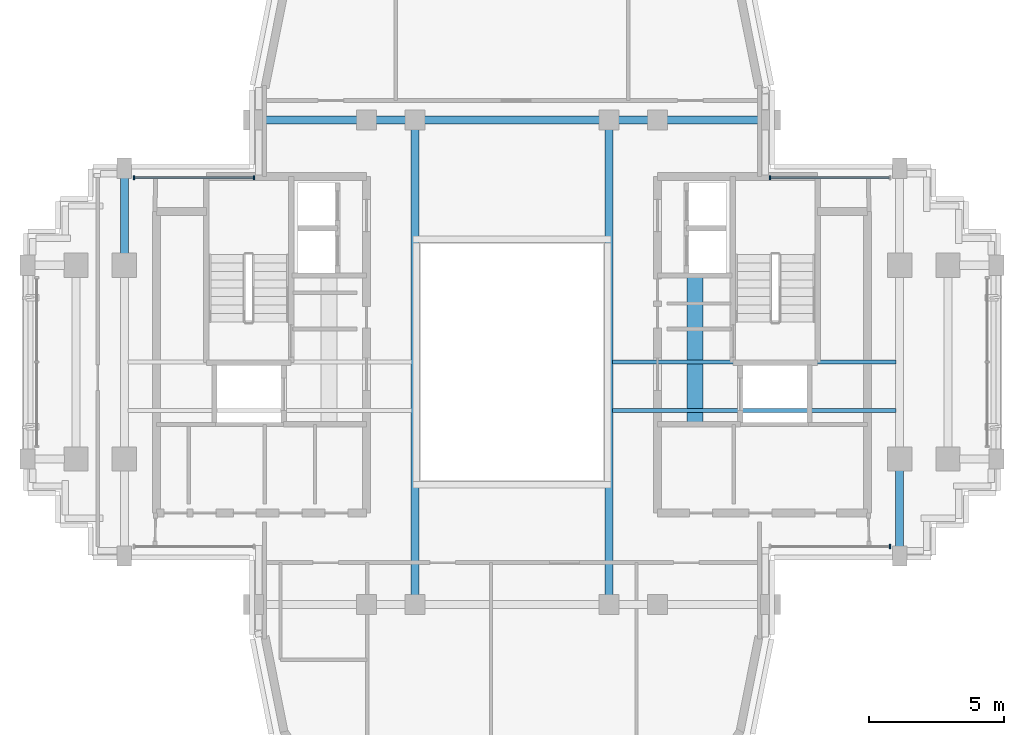
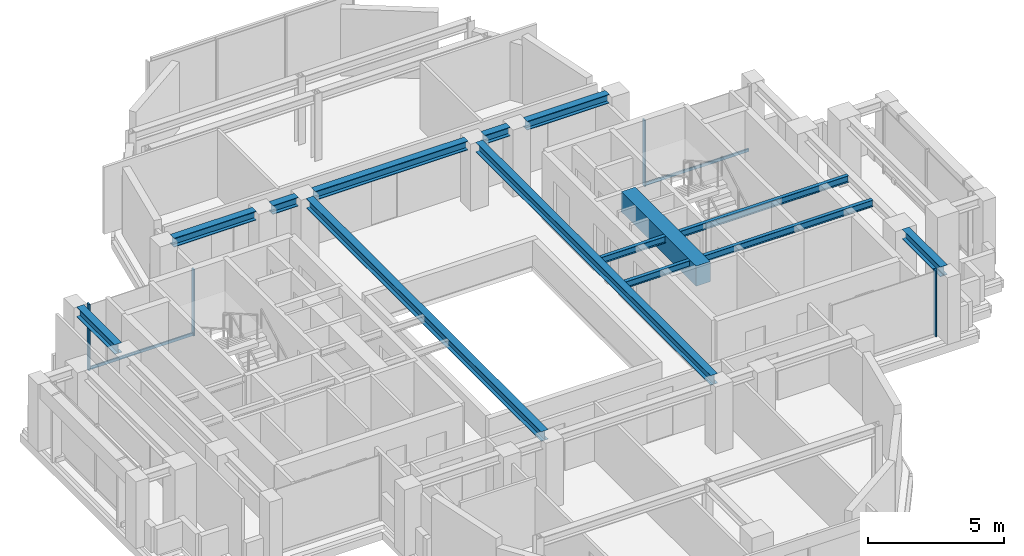
# One storey, part 5 of 12: 12 beams, 6 members, 3 elements without a shape of their own.
"""IFC4 building model written with IfcOpenShell, lengths in metres."""

from ifc_helpers import new_model, si_unit, direction, frame, origin, origin_2d, place, context, subcontext, project, spatial, rectangle, i_section, extrude, source, transform, mapped, material, material_profile, profile_set, type_object, element, aggregate, save


model = new_model("IFC4")

# Units and contexts
model_context = context("Model", 3, precision=1e-05, world=origin(), true_north=direction((0.0, 1.0)))
body_context = subcontext(model_context, "Body", "Model", "MODEL_VIEW")
ifc_project = project(units=[si_unit("LENGTHUNIT", "METRE"), si_unit("AREAUNIT", "SQUARE_METRE"), si_unit("VOLUMEUNIT", "CUBIC_METRE"), si_unit("PLANEANGLEUNIT", "RADIAN"), si_unit("MASSUNIT", "GRAM", prefix="KILO")], contexts=[model_context])

# Site, building, storey
site_placement = place(None, origin())
site = spatial("IfcSite", under=ifc_project, at=site_placement, CompositionType="ELEMENT")
building_placement = place(site_placement, origin())
building = spatial("IfcBuilding", under=site, at=building_placement, Name="Keilestroom Media Tower", CompositionType="ELEMENT")
storey_placement = place(building_placement, frame((0.0, 0.0, 226.800048828125)))
storey = spatial("IfcBuildingStorey", under=building, at=storey_placement, Name="L62", CompositionType="ELEMENT", Elevation=226.800048828125)

# Beams
ifc_material_1 = material(Name="Concrete C70/85", Category="concrete")
ifc_material_profile_1 = material_profile(ifc_material_1, rectangle(XDim=0.60009765625, YDim=0.89990234375, at=origin_2d()), Name="RC 600x900")
ifc_profile_set_1 = profile_set([ifc_material_profile_1], Name="Concrete C70/85")
beam_type_1 = type_object("IfcBeamType", Name="Core-Coupling-Lintel-Beam-RC-600x900", PredefinedType="LINTEL", material=ifc_profile_set_1)
shared_shape_1 = source(origin(), body_context, "Body", "SweptSolid", [
    extrude(rectangle(XDim=0.60009765625, YDim=0.89990234375, at=origin_2d()), origin(), (0.0, 0.0, 1.0), 5.52001953125),
])
beam_1_placement = place(storey_placement, frame((6.800048828125, -2.300048828125, 2.56005859375), z_axis=(0.0, 1.0, 0.0), x_axis=(-1.0, 0.0, 0.0)))
element("IfcBeam", 1, at=beam_1_placement, inside=storey, type_object=beam_type_1, Name="L62 Beam CLB-1 CLB-L62-E", PredefinedType="LINTEL", context=body_context, shape_type="MappedRepresentation", body=[
    mapped(shared_shape_1, transform((0.0, 0.0, 0.0), x_axis=(1.0, 0.0, 0.0), y_axis=(0.0, 1.0, 0.0), z_axis=(0.0, 0.0, 1.0), scale=1.0)),
])
ifc_material_2 = material(Name="Steel S355", Category="steel")
ifc_material_profile_2 = material_profile(ifc_material_2, i_section(OverallWidth=0.300048828125, OverallDepth=0.39990234375, WebThickness=0.011474609375, FlangeThickness=0.02392578125, at=origin_2d()), Name="HEB 400")
ifc_profile_set_2 = profile_set([ifc_material_profile_2], Name="Steel S355")
beam_type_2 = type_object("IfcBeamType", Name="Primary-Structural-Girder-HEB-400", PredefinedType="BEAM", material=ifc_profile_set_2)
shared_shape_2 = source(origin(), body_context, "Body", "SweptSolid", [
    extrude(i_section(OverallWidth=0.300048828125, OverallDepth=0.39990234375, WebThickness=0.011474609375, FlangeThickness=0.02392578125, at=origin_2d()), origin(), (0.0, 0.0, 1.0), 3.490234375),
])
for number, where, z_axis, x_axis, name in (
    (2, (-9.2451171875, 9.0, 2.81005859375), (1.0, 0.0, 0.0), (0.0, 1.0, 0.0), "L62 Beam BG-8 BM-L62-EW-016"),
    (3, (5.7548828125, 9.0, 2.81005859375), (1.0, 0.0, 0.0), (0.0, 1.0, 0.0), "L62 Beam BG-8 BM-L62-EW-020"),
):
    element("IfcBeam", number, at=place(storey_placement, frame(where, z_axis=z_axis, x_axis=x_axis)), inside=storey, type_object=beam_type_2, Name=name, PredefinedType="BEAM", context=body_context, shape_type="MappedRepresentation", body=[
        mapped(shared_shape_2, transform((0.0, 0.0, 0.0), x_axis=(1.0, 0.0, 0.0), y_axis=(0.0, 1.0, 0.0), z_axis=(0.0, 0.0, 1.0), scale=1.0)),
    ])
shared_shape_3 = source(origin(), body_context, "Body", "SweptSolid", [
    extrude(i_section(OverallWidth=0.300048828125, OverallDepth=0.39990234375, WebThickness=0.011474609375, FlangeThickness=0.02392578125, at=origin_2d()), origin(), (0.0, 0.0, 1.0), 1.08984375),
])
for number, where, z_axis, x_axis, name in (
    (4, (-5.044921875, 9.0, 2.81005859375), (1.0, 0.0, 0.0), (0.0, 1.0, 0.0), "L62 Beam BG-8 BM-L62-EW-017"),
    (5, (3.955078125, 9.0, 2.81005859375), (1.0, 0.0, 0.0), (0.0, 1.0, 0.0), "L62 Beam BG-8 BM-L62-EW-019"),
):
    element("IfcBeam", number, at=place(storey_placement, frame(where, z_axis=z_axis, x_axis=x_axis)), inside=storey, type_object=beam_type_2, Name=name, PredefinedType="BEAM", context=body_context, shape_type="MappedRepresentation", body=[
        mapped(shared_shape_3, transform((0.0, 0.0, 0.0), x_axis=(1.0, 0.0, 0.0), y_axis=(0.0, 1.0, 0.0), z_axis=(0.0, 0.0, 1.0), scale=1.0)),
    ])
shared_shape_4 = source(origin(), body_context, "Body", "SweptSolid", [
    extrude(i_section(OverallWidth=0.300048828125, OverallDepth=0.39990234375, WebThickness=0.011474609375, FlangeThickness=0.02392578125, at=origin_2d()), origin(), (0.0, 0.0, 1.0), 6.490234375),
])
beam_2_placement = place(storey_placement, frame((-3.2451171875, 9.0, 2.81005859375), z_axis=(1.0, 0.0, 0.0), x_axis=(0.0, 1.0, 0.0)))
element("IfcBeam", 6, at=beam_2_placement, inside=storey, type_object=beam_type_2, Name="L62 Beam BG-8 BM-L62-EW-018", PredefinedType="BEAM", context=body_context, shape_type="MappedRepresentation", body=[
    mapped(shared_shape_4, transform((0.0, 0.0, 0.0), x_axis=(1.0, 0.0, 0.0), y_axis=(0.0, 1.0, 0.0), z_axis=(0.0, 0.0, 1.0), scale=1.0)),
])
ifc_material_profile_3 = material_profile(ifc_material_2, i_section(OverallWidth=0.300048828125, OverallDepth=0.43994140625, WebThickness=0.011474609375, FlangeThickness=0.02099609375, at=origin_2d()), Name="HEA 450")
ifc_profile_set_3 = profile_set([ifc_material_profile_3], Name="Steel S355")
beam_type_3 = type_object("IfcBeamType", Name="Primary-Structural-Girder-HEA-450", PredefinedType="BEAM", material=ifc_profile_set_3)
shared_shape_5 = source(origin(), body_context, "Body", "SweptSolid", [
    extrude(i_section(OverallWidth=0.300048828125, OverallDepth=0.43994140625, WebThickness=0.011474609375, FlangeThickness=0.02099609375, at=origin_2d()), origin(), (0.0, 0.0, 1.0), 2.81494140625),
])
for number, where, z_axis, x_axis, name in (
    (7, (-14.39990234375, 4.030029296875, 2.7900390625), (0.0, 1.0, 0.0), (-1.0, 0.0, 0.0), "L62 Beam BG-11 BM-L62-NS-029"),
    (8, (14.39990234375, -6.844970703125, 2.7900390625), (0.0, 1.0, 0.0), (-1.0, 0.0, 0.0), "L62 Beam BG-11 BM-L62-NS-040"),
):
    element("IfcBeam", number, at=place(storey_placement, frame(where, z_axis=z_axis, x_axis=x_axis)), inside=storey, type_object=beam_type_3, Name=name, PredefinedType="BEAM", context=body_context, shape_type="MappedRepresentation", body=[
        mapped(shared_shape_5, transform((0.0, 0.0, 0.0), x_axis=(1.0, 0.0, 0.0), y_axis=(0.0, 1.0, 0.0), z_axis=(0.0, 0.0, 1.0), scale=1.0)),
    ])
shared_shape_6 = source(origin(), body_context, "Body", "SweptSolid", [
    extrude(i_section(OverallWidth=0.300048828125, OverallDepth=0.43994140625, WebThickness=0.011474609375, FlangeThickness=0.02099609375, at=origin_2d()), origin(), (0.0, 0.0, 1.0), 17.2900390625),
])
for number, where, z_axis, x_axis, name in (
    (9, (-3.60009765625, -8.64501953125, 2.7900390625), (0.0, 1.0, 0.0), (-1.0, 0.0, 0.0), "L62 Beam BG-11 BM-L62-NS-033"),
    (10, (3.60009765625, -8.64501953125, 2.7900390625), (0.0, 1.0, 0.0), (-1.0, 0.0, 0.0), "L62 Beam BG-11 BM-L62-NS-036"),
):
    element("IfcBeam", number, at=place(storey_placement, frame(where, z_axis=z_axis, x_axis=x_axis)), inside=storey, type_object=beam_type_3, Name=name, PredefinedType="BEAM", context=body_context, shape_type="MappedRepresentation", body=[
        mapped(shared_shape_6, transform((0.0, 0.0, 0.0), x_axis=(1.0, 0.0, 0.0), y_axis=(0.0, 1.0, 0.0), z_axis=(0.0, 0.0, 1.0), scale=1.0)),
    ])
ifc_material_profile_4 = material_profile(ifc_material_2, i_section(OverallWidth=0.14990234375, OverallDepth=0.300048828125, WebThickness=0.007080078125, FlangeThickness=0.0107421875, at=origin_2d()), Name="IPE 300")
ifc_profile_set_4 = profile_set([ifc_material_profile_4], Name="Steel S355")
beam_type_4 = type_object("IfcBeamType", Name="Secondary-Floor-Joist-IPE-300", PredefinedType="JOIST", material=ifc_profile_set_4)
shared_shape_7 = source(origin(), body_context, "Body", "SweptSolid", [
    extrude(i_section(OverallWidth=0.14990234375, OverallDepth=0.300048828125, WebThickness=0.007080078125, FlangeThickness=0.0107421875, at=origin_2d()), origin(), (0.0, 0.0, 1.0), 10.5400390625),
])
for number, where, z_axis, x_axis, name in (
    (11, (3.72998046875, -1.800048828125, 2.85986328125), (1.0, 0.0, 0.0), (0.0, 1.0, 0.0), "L62 Beam BJ-7 JST-L62-047"),
    (12, (3.72998046875, 0.0, 2.85986328125), (1.0, 0.0, 0.0), (0.0, 1.0, 0.0), "L62 Beam BJ-7 JST-L62-050"),
):
    element("IfcBeam", number, at=place(storey_placement, frame(where, z_axis=z_axis, x_axis=x_axis)), inside=storey, type_object=beam_type_4, Name=name, PredefinedType="JOIST", context=body_context, shape_type="MappedRepresentation", body=[
        mapped(shared_shape_7, transform((0.0, 0.0, 0.0), x_axis=(1.0, 0.0, 0.0), y_axis=(0.0, 1.0, 0.0), z_axis=(0.0, 0.0, 1.0), scale=1.0)),
    ])

# Curtain wall, members
ifc_material_3 = material(Name="Anodised Aluminium Alloy", Category="aluminium")
curtain_wall_type = type_object("IfcCurtainWallType", Name="Unitised-Curtain-Wall-CW-4", PredefinedType="NOTDEFINED", material=ifc_material_3)
curtain_wall_1_placement = place(storey_placement, origin())
curtain_wall_1 = element("IfcCurtainWall", 13, at=curtain_wall_1_placement, inside=storey, type_object=curtain_wall_type, Name="L62 Curtain Wall CW-4 CW-L62-NW-1", PredefinedType="NOTDEFINED")
ifc_material_profile_5 = material_profile(ifc_material_3, rectangle(XDim=0.06005859375, YDim=0.159912109375, at=origin_2d()), Name="ALU MULLION 60x160")
ifc_profile_set_5 = profile_set([ifc_material_profile_5], Name="Anodised Aluminium Alloy")
member_type_1 = type_object("IfcMemberType", Name="Curtain-Wall-Mullion-CW-4", PredefinedType="MULLION", material=ifc_profile_set_5)
shared_shape_8 = source(origin(), body_context, "Body", "SweptSolid", [
    extrude(rectangle(XDim=0.06005859375, YDim=0.159912109375, at=origin_2d()), origin(), (0.0, 0.0, 1.0), 2.97998046875),
])
member_1_placement = place(storey_placement, frame((-14.034912109375, 6.85009765625, 0.0), z_axis=(0.0, 0.0, 1.0), x_axis=(1.0, 0.0, 0.0)))
member_1 = element("IfcMember", 14, at=member_1_placement, type_object=member_type_1, Name="CW-4 Mullion 00", PredefinedType="MULLION", context=body_context, shape_type="MappedRepresentation", body=[
    mapped(shared_shape_8, transform((0.0, 0.0, 0.0), x_axis=(1.0, 0.0, 0.0), y_axis=(0.0, 1.0, 0.0), z_axis=(0.0, 0.0, 1.0), scale=1.0)),
])
member_2_placement = place(storey_placement, frame((-9.580078125, 6.85009765625, 0.0), z_axis=(0.0, 0.0, 1.0), x_axis=(1.0, 0.0, 0.0)))
member_2 = element("IfcMember", 15, at=member_2_placement, type_object=member_type_1, Name="CW-4 Mullion 01", PredefinedType="MULLION", context=body_context, shape_type="MappedRepresentation", body=[
    mapped(shared_shape_8, transform((0.0, 0.0, 0.0), x_axis=(1.0, 0.0, 0.0), y_axis=(0.0, 1.0, 0.0), z_axis=(0.0, 0.0, 1.0), scale=1.0)),
])

# Curtain wall, member
curtain_wall_2_placement = place(storey_placement, origin())
curtain_wall_2 = element("IfcCurtainWall", 16, at=curtain_wall_2_placement, inside=storey, type_object=curtain_wall_type, Name="L62 Curtain Wall CW-4 CW-L62-NE-1", PredefinedType="NOTDEFINED")
member_3_placement = place(storey_placement, frame((9.580078125, 6.85009765625, 0.0), z_axis=(0.0, 0.0, 1.0), x_axis=(1.0, 0.0, 0.0)))
member_3 = element("IfcMember", 17, at=member_3_placement, type_object=member_type_1, Name="CW-4 Mullion 00", PredefinedType="MULLION", context=body_context, shape_type="MappedRepresentation", body=[
    mapped(shared_shape_8, transform((0.0, 0.0, 0.0), x_axis=(1.0, 0.0, 0.0), y_axis=(0.0, 1.0, 0.0), z_axis=(0.0, 0.0, 1.0), scale=1.0)),
])

curtain_wall_3_placement = place(storey_placement, origin())
curtain_wall_3 = element("IfcCurtainWall", 18, at=curtain_wall_3_placement, inside=storey, type_object=curtain_wall_type, Name="L62 Curtain Wall CW-4 CW-L62-SE-1", PredefinedType="NOTDEFINED")
member_4_placement = place(storey_placement, frame((14.034912109375, -6.85009765625, 0.0), z_axis=(0.0, 0.0, 1.0), x_axis=(1.0, 0.0, 0.0)))
member_4 = element("IfcMember", 19, at=member_4_placement, type_object=member_type_1, Name="CW-4 Mullion 01", PredefinedType="MULLION", context=body_context, shape_type="MappedRepresentation", body=[
    mapped(shared_shape_8, transform((0.0, 0.0, 0.0), x_axis=(1.0, 0.0, 0.0), y_axis=(0.0, 1.0, 0.0), z_axis=(0.0, 0.0, 1.0), scale=1.0)),
])
aggregate(curtain_wall_3, [member_4])

# Member
ifc_material_profile_6 = material_profile(ifc_material_3, rectangle(XDim=0.06005859375, YDim=0.1298828125, at=origin_2d()), Name="ALU TRANSOM 60x130")
ifc_profile_set_6 = profile_set([ifc_material_profile_6], Name="Anodised Aluminium Alloy")
member_type_2 = type_object("IfcMemberType", Name="Curtain-Wall-Transom-CW-4", PredefinedType="USERDEFINED", material=ifc_profile_set_6)
shared_shape_9 = source(origin(), body_context, "Body", "SweptSolid", [
    extrude(rectangle(XDim=0.06005859375, YDim=0.1298828125, at=origin_2d()), origin(), (0.0, 0.0, 1.0), 4.399169921875),
])
member_5_placement = place(storey_placement, frame((-14.007080078125, 6.85009765625, 0.06494140625), z_axis=(1.0, 0.0, 0.0), x_axis=(0.0, 1.0, 0.0)))
member_5 = element("IfcMember", 20, at=member_5_placement, type_object=member_type_2, Name="CW-4 Transom 00.1", ObjectType="TRANSOM", PredefinedType="USERDEFINED", context=body_context, shape_type="MappedRepresentation", body=[
    mapped(shared_shape_9, transform((0.0, 0.0, 0.0), x_axis=(1.0, 0.0, 0.0), y_axis=(0.0, 1.0, 0.0), z_axis=(0.0, 0.0, 1.0), scale=1.0)),
])

aggregate(curtain_wall_1, [member_1, member_2, member_5])

member_6_placement = place(storey_placement, frame((9.60791015625, 6.85009765625, 0.06494140625), z_axis=(1.0, 0.0, 0.0), x_axis=(0.0, 1.0, 0.0)))
member_6 = element("IfcMember", 21, at=member_6_placement, type_object=member_type_2, Name="CW-4 Transom 00.1", ObjectType="TRANSOM", PredefinedType="USERDEFINED", context=body_context, shape_type="MappedRepresentation", body=[
    mapped(shared_shape_9, transform((0.0, 0.0, 0.0), x_axis=(1.0, 0.0, 0.0), y_axis=(0.0, 1.0, 0.0), z_axis=(0.0, 0.0, 1.0), scale=1.0)),
])

aggregate(curtain_wall_2, [member_3, member_6])

save(model, "model.ifc")
